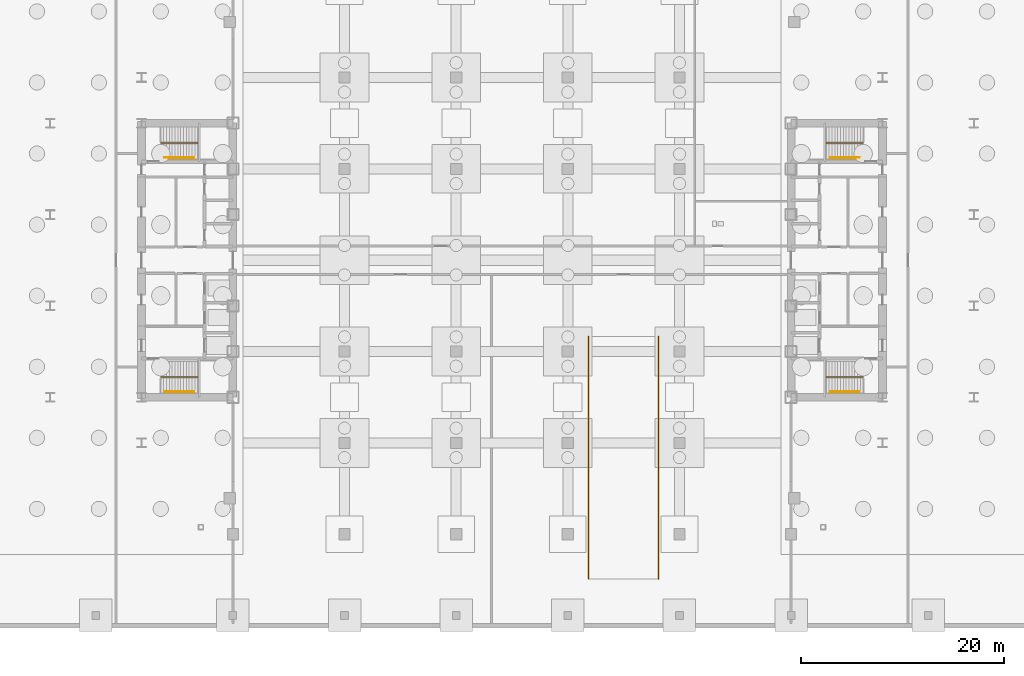
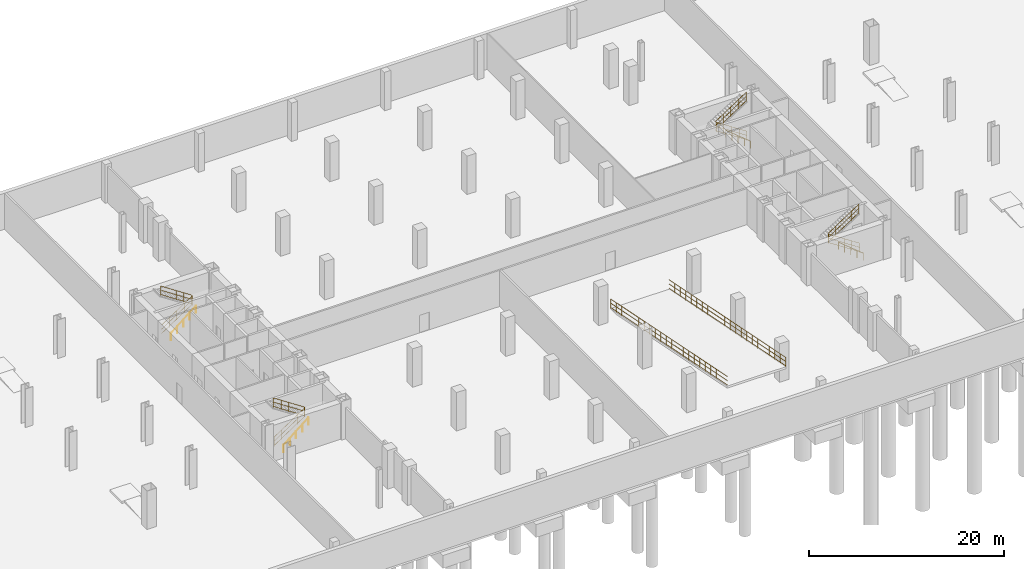
# One storey, part 16 of 18: 10 railings.
"""IFC4 building model written with IfcOpenShell, lengths in metres."""

from ifc_helpers import new_model, si_unit, direction, frame, origin, origin_2d, place, context, subcontext, project, spatial, circle, extrude, material, type_object, element, save


model = new_model("IFC4")

# Units and contexts
model_context = context("Model", 3, precision=1e-05, world=origin(), true_north=direction((0.0, 1.0)))
body_context = subcontext(model_context, "Body", "Model", "MODEL_VIEW")
ifc_project = project(units=[si_unit("LENGTHUNIT", "METRE"), si_unit("AREAUNIT", "SQUARE_METRE"), si_unit("VOLUMEUNIT", "CUBIC_METRE"), si_unit("PLANEANGLEUNIT", "RADIAN"), si_unit("MASSUNIT", "GRAM", prefix="KILO")], contexts=[model_context])

# Site, building, storey
site_placement = place(None, origin())
site = spatial("IfcSite", under=ifc_project, at=site_placement, CompositionType="ELEMENT")
building_placement = place(site_placement, origin())
building = spatial("IfcBuilding", under=site, at=building_placement, Name="Seokmaru Belvedere", CompositionType="ELEMENT")
storey_placement = place(building_placement, frame((0.0, 0.0, -9.60009765625)))
storey = spatial("IfcBuildingStorey", under=building, at=storey_placement, Name="B2", CompositionType="ELEMENT", Elevation=-9.60009765625)

# Railings
ifc_material = material(Name="Stainless Steel 316", Category="steel")
railing_type_1 = type_object("IfcRailingType", Name="Stainless Steel Wall and Flight Handrail 900", PredefinedType="HANDRAIL", material=ifc_material)
for number, where, name in (
    (1, (-34.25, -12.949951171875, 0.0), "B2 Stair ST-W1 Wall Handrail"),
    (2, (-34.25, 10.110107421875, 0.0), "B2 Stair ST-W2 Wall Handrail"),
):
    element("IfcRailing", number, at=place(storey_placement, frame(where)), inside=storey, type_object=railing_type_1, Name=name, PredefinedType="HANDRAIL", context=body_context, shape_type="SweptSolid", body=[
        extrude(circle(Radius=0.02392578125, at=origin_2d()), frame((0.0, 0.0, 0.8759765625), z_axis=(0.774636117937, 0.0, 0.63240721437), x_axis=(0.0, 1.0, 0.0)), (0.0, 0.0, 1.0), 3.795166015625),
        extrude(circle(Radius=0.02099609375, at=origin_2d()), origin(), (0.0, 0.0, 1.0), 0.851806640625),
        extrude(circle(Radius=0.02099609375, at=origin_2d()), frame((0.73486328125, 0.0, 0.60009765625)), (0.0, 0.0, 1.0), 0.851806640625),
        extrude(circle(Radius=0.02099609375, at=origin_2d()), frame((1.469970703125, 0.0, 1.2001953125)), (0.0, 0.0, 1.0), 0.851806640625),
        extrude(circle(Radius=0.02099609375, at=origin_2d()), frame((2.205078125, 0.0, 1.800048828125)), (0.0, 0.0, 1.0), 0.851806640625),
        extrude(circle(Radius=0.02099609375, at=origin_2d()), frame((2.93994140625, 0.0, 2.400146484375)), (0.0, 0.0, 1.0), 0.851806640625),
    ])
for number, where, name in (
    (3, (34.25, -12.949951171875, 0.0), "B2 Stair ST-E1 Wall Handrail"),
    (4, (34.25, 10.110107421875, 0.0), "B2 Stair ST-E2 Wall Handrail"),
):
    element("IfcRailing", number, at=place(storey_placement, frame(where)), inside=storey, type_object=railing_type_1, Name=name, PredefinedType="HANDRAIL", context=body_context, shape_type="SweptSolid", body=[
        extrude(circle(Radius=0.02392578125, at=origin_2d()), frame((0.0, 0.0, 0.8759765625), z_axis=(-0.774636117937, 0.0, 0.63240721437), x_axis=(0.0, -1.0, 0.0)), (0.0, 0.0, 1.0), 3.795166015625),
        extrude(circle(Radius=0.02099609375, at=origin_2d()), origin(), (0.0, 0.0, 1.0), 0.851806640625),
        extrude(circle(Radius=0.02099609375, at=origin_2d()), frame((-0.73486328125, 0.0, 0.60009765625)), (0.0, 0.0, 1.0), 0.851806640625),
        extrude(circle(Radius=0.02099609375, at=origin_2d()), frame((-1.469970703125, 0.0, 1.2001953125)), (0.0, 0.0, 1.0), 0.851806640625),
        extrude(circle(Radius=0.02099609375, at=origin_2d()), frame((-2.205078125, 0.0, 1.800048828125)), (0.0, 0.0, 1.0), 0.851806640625),
        extrude(circle(Radius=0.02099609375, at=origin_2d()), frame((-2.93994140625, 0.0, 2.400146484375)), (0.0, 0.0, 1.0), 0.851806640625),
    ])
railing_type_2 = type_object("IfcRailingType", Name="Stair Well and Atrium Steel Guardrail 1200", PredefinedType="GUARDRAIL", material=ifc_material)
railing_1_placement = place(storey_placement, frame((-34.60009765625, -11.60009765625, 0.0)))
element("IfcRailing", 5, at=railing_1_placement, inside=storey, type_object=railing_type_2, Name="B2 Stair ST-W1 Inner Well Guardrail", PredefinedType="GUARDRAIL", context=body_context, shape_type="SweptSolid", body=[
    extrude(circle(Radius=0.02392578125, at=origin_2d()), frame((0.0, 0.0, 1.17578125), z_axis=(0.834856447115, 0.0, 0.55046772177), x_axis=(0.0, 1.0, 0.0)), (0.0, 0.0, 1.0), 4.360107421875),
    extrude(circle(Radius=0.02392578125, at=origin_2d()), frame((0.0, 0.0, 0.1201171875), z_axis=(0.834856447115, 0.0, 0.55046772177), x_axis=(0.0, 1.0, 0.0)), (0.0, 0.0, 1.0), 4.360107421875),
    extrude(circle(Radius=0.02392578125, at=origin_2d()), frame((0.0, 0.0, 0.659912109375), z_axis=(0.834856447115, 0.0, 0.55046772177), x_axis=(0.0, 1.0, 0.0)), (0.0, 0.0, 1.0), 4.360107421875),
    extrude(circle(Radius=0.02392578125, at=origin_2d()), frame((3.64013671875, 0.0, 3.576171875), z_axis=(0.0, 1.0, 0.0), x_axis=(-1.0, 0.0, 0.0)), (0.0, 0.0, 1.0), 0.14013671875),
    extrude(circle(Radius=0.02392578125, at=origin_2d()), frame((3.64013671875, 0.0, 2.520263671875), z_axis=(0.0, 1.0, 0.0), x_axis=(-1.0, 0.0, 0.0)), (0.0, 0.0, 1.0), 0.14013671875),
    extrude(circle(Radius=0.02392578125, at=origin_2d()), frame((3.64013671875, 0.0, 3.06005859375), z_axis=(0.0, 1.0, 0.0), x_axis=(-1.0, 0.0, 0.0)), (0.0, 0.0, 1.0), 0.14013671875),
    extrude(circle(Radius=0.02392578125, at=origin_2d()), frame((3.64013671875, 0.14013671875, 3.576171875), z_axis=(-0.83488217925, 0.0, 0.55042869363), x_axis=(0.0, -1.0, 0.0)), (0.0, 0.0, 1.0), 4.360107421875),
    extrude(circle(Radius=0.02392578125, at=origin_2d()), frame((3.64013671875, 0.14013671875, 2.520263671875), z_axis=(-0.83488217925, 0.0, 0.55042869363), x_axis=(0.0, -1.0, 0.0)), (0.0, 0.0, 1.0), 4.360107421875),
    extrude(circle(Radius=0.02392578125, at=origin_2d()), frame((3.64013671875, 0.14013671875, 3.06005859375), z_axis=(-0.83488217925, 0.0, 0.55042869363), x_axis=(0.0, -1.0, 0.0)), (0.0, 0.0, 1.0), 4.360107421875),
    extrude(circle(Radius=0.02099609375, at=origin_2d()), origin(), (0.0, 0.0, 1.0), 1.15185546875),
    extrude(circle(Radius=0.02099609375, at=origin_2d()), frame((0.91015625, 0.0, 0.60009765625)), (0.0, 0.0, 1.0), 1.15185546875),
    extrude(circle(Radius=0.02099609375, at=origin_2d()), frame((1.820068359375, 0.0, 1.2001953125)), (0.0, 0.0, 1.0), 1.15185546875),
    extrude(circle(Radius=0.02099609375, at=origin_2d()), frame((2.72998046875, 0.0, 1.800048828125)), (0.0, 0.0, 1.0), 1.15185546875),
    extrude(circle(Radius=0.02099609375, at=origin_2d()), frame((3.64013671875, 0.0, 2.400146484375)), (0.0, 0.0, 1.0), 1.15185546875),
    extrude(circle(Radius=0.02099609375, at=origin_2d()), frame((3.64013671875, 0.14013671875, 2.400146484375)), (0.0, 0.0, 1.0), 1.15185546875),
    extrude(circle(Radius=0.02099609375, at=origin_2d()), frame((2.72998046875, 0.14013671875, 3.0)), (0.0, 0.0, 1.0), 1.15185546875),
    extrude(circle(Radius=0.02099609375, at=origin_2d()), frame((1.820068359375, 0.14013671875, 3.60009765625)), (0.0, 0.0, 1.0), 1.15185546875),
    extrude(circle(Radius=0.02099609375, at=origin_2d()), frame((0.91015625, 0.14013671875, 4.2001953125)), (0.0, 0.0, 1.0), 1.15185546875),
    extrude(circle(Radius=0.02099609375, at=origin_2d()), frame((0.0, 0.14013671875, 4.800048828125)), (0.0, 0.0, 1.0), 1.15185546875),
])
railing_2_placement = place(storey_placement, frame((-34.60009765625, 11.4599609375, 0.0)))
element("IfcRailing", 6, at=railing_2_placement, inside=storey, type_object=railing_type_2, Name="B2 Stair ST-W2 Inner Well Guardrail", PredefinedType="GUARDRAIL", context=body_context, shape_type="SweptSolid", body=[
    extrude(circle(Radius=0.02392578125, at=origin_2d()), frame((0.0, 0.0, 1.17578125), z_axis=(0.834856447115, 0.0, 0.55046772177), x_axis=(0.0, 1.0, 0.0)), (0.0, 0.0, 1.0), 4.360107421875),
    extrude(circle(Radius=0.02392578125, at=origin_2d()), frame((0.0, 0.0, 0.1201171875), z_axis=(0.834856447115, 0.0, 0.55046772177), x_axis=(0.0, 1.0, 0.0)), (0.0, 0.0, 1.0), 4.360107421875),
    extrude(circle(Radius=0.02392578125, at=origin_2d()), frame((0.0, 0.0, 0.659912109375), z_axis=(0.834856447115, 0.0, 0.55046772177), x_axis=(0.0, 1.0, 0.0)), (0.0, 0.0, 1.0), 4.360107421875),
    extrude(circle(Radius=0.02392578125, at=origin_2d()), frame((3.64013671875, 0.0, 3.576171875), z_axis=(0.0, 1.0, 0.0), x_axis=(-1.0, 0.0, 0.0)), (0.0, 0.0, 1.0), 0.14013671875),
    extrude(circle(Radius=0.02392578125, at=origin_2d()), frame((3.64013671875, 0.0, 2.520263671875), z_axis=(0.0, 1.0, 0.0), x_axis=(-1.0, 0.0, 0.0)), (0.0, 0.0, 1.0), 0.14013671875),
    extrude(circle(Radius=0.02392578125, at=origin_2d()), frame((3.64013671875, 0.0, 3.06005859375), z_axis=(0.0, 1.0, 0.0), x_axis=(-1.0, 0.0, 0.0)), (0.0, 0.0, 1.0), 0.14013671875),
    extrude(circle(Radius=0.02392578125, at=origin_2d()), frame((3.64013671875, 0.14013671875, 3.576171875), z_axis=(-0.83488217925, 0.0, 0.55042869363), x_axis=(0.0, -1.0, 0.0)), (0.0, 0.0, 1.0), 4.360107421875),
    extrude(circle(Radius=0.02392578125, at=origin_2d()), frame((3.64013671875, 0.14013671875, 2.520263671875), z_axis=(-0.83488217925, 0.0, 0.55042869363), x_axis=(0.0, -1.0, 0.0)), (0.0, 0.0, 1.0), 4.360107421875),
    extrude(circle(Radius=0.02392578125, at=origin_2d()), frame((3.64013671875, 0.14013671875, 3.06005859375), z_axis=(-0.83488217925, 0.0, 0.55042869363), x_axis=(0.0, -1.0, 0.0)), (0.0, 0.0, 1.0), 4.360107421875),
    extrude(circle(Radius=0.02099609375, at=origin_2d()), origin(), (0.0, 0.0, 1.0), 1.15185546875),
    extrude(circle(Radius=0.02099609375, at=origin_2d()), frame((0.91015625, 0.0, 0.60009765625)), (0.0, 0.0, 1.0), 1.15185546875),
    extrude(circle(Radius=0.02099609375, at=origin_2d()), frame((1.820068359375, 0.0, 1.2001953125)), (0.0, 0.0, 1.0), 1.15185546875),
    extrude(circle(Radius=0.02099609375, at=origin_2d()), frame((2.72998046875, 0.0, 1.800048828125)), (0.0, 0.0, 1.0), 1.15185546875),
    extrude(circle(Radius=0.02099609375, at=origin_2d()), frame((3.64013671875, 0.0, 2.400146484375)), (0.0, 0.0, 1.0), 1.15185546875),
    extrude(circle(Radius=0.02099609375, at=origin_2d()), frame((3.64013671875, 0.14013671875, 2.400146484375)), (0.0, 0.0, 1.0), 1.15185546875),
    extrude(circle(Radius=0.02099609375, at=origin_2d()), frame((2.72998046875, 0.14013671875, 3.0)), (0.0, 0.0, 1.0), 1.15185546875),
    extrude(circle(Radius=0.02099609375, at=origin_2d()), frame((1.820068359375, 0.14013671875, 3.60009765625)), (0.0, 0.0, 1.0), 1.15185546875),
    extrude(circle(Radius=0.02099609375, at=origin_2d()), frame((0.91015625, 0.14013671875, 4.2001953125)), (0.0, 0.0, 1.0), 1.15185546875),
    extrude(circle(Radius=0.02099609375, at=origin_2d()), frame((0.0, 0.14013671875, 4.800048828125)), (0.0, 0.0, 1.0), 1.15185546875),
])
railing_3_placement = place(storey_placement, frame((34.60009765625, -11.60009765625, 0.0)))
element("IfcRailing", 7, at=railing_3_placement, inside=storey, type_object=railing_type_2, Name="B2 Stair ST-E1 Inner Well Guardrail", PredefinedType="GUARDRAIL", context=body_context, shape_type="SweptSolid", body=[
    extrude(circle(Radius=0.02392578125, at=origin_2d()), frame((0.0, 0.0, 1.17578125), z_axis=(-0.834856447115, 0.0, 0.55046772177), x_axis=(0.0, -1.0, 0.0)), (0.0, 0.0, 1.0), 4.360107421875),
    extrude(circle(Radius=0.02392578125, at=origin_2d()), frame((0.0, 0.0, 0.1201171875), z_axis=(-0.834856447115, 0.0, 0.55046772177), x_axis=(0.0, -1.0, 0.0)), (0.0, 0.0, 1.0), 4.360107421875),
    extrude(circle(Radius=0.02392578125, at=origin_2d()), frame((0.0, 0.0, 0.659912109375), z_axis=(-0.834856447115, 0.0, 0.55046772177), x_axis=(0.0, -1.0, 0.0)), (0.0, 0.0, 1.0), 4.360107421875),
    extrude(circle(Radius=0.02392578125, at=origin_2d()), frame((-3.64013671875, 0.0, 3.576171875), z_axis=(0.0, 1.0, 0.0), x_axis=(-1.0, 0.0, 0.0)), (0.0, 0.0, 1.0), 0.14013671875),
    extrude(circle(Radius=0.02392578125, at=origin_2d()), frame((-3.64013671875, 0.0, 2.520263671875), z_axis=(0.0, 1.0, 0.0), x_axis=(-1.0, 0.0, 0.0)), (0.0, 0.0, 1.0), 0.14013671875),
    extrude(circle(Radius=0.02392578125, at=origin_2d()), frame((-3.64013671875, 0.0, 3.06005859375), z_axis=(0.0, 1.0, 0.0), x_axis=(-1.0, 0.0, 0.0)), (0.0, 0.0, 1.0), 0.14013671875),
    extrude(circle(Radius=0.02392578125, at=origin_2d()), frame((-3.64013671875, 0.14013671875, 3.576171875), z_axis=(0.83488217925, 0.0, 0.55042869363), x_axis=(0.0, 1.0, 0.0)), (0.0, 0.0, 1.0), 4.360107421875),
    extrude(circle(Radius=0.02392578125, at=origin_2d()), frame((-3.64013671875, 0.14013671875, 2.520263671875), z_axis=(0.83488217925, 0.0, 0.55042869363), x_axis=(0.0, 1.0, 0.0)), (0.0, 0.0, 1.0), 4.360107421875),
    extrude(circle(Radius=0.02392578125, at=origin_2d()), frame((-3.64013671875, 0.14013671875, 3.06005859375), z_axis=(0.83488217925, 0.0, 0.55042869363), x_axis=(0.0, 1.0, 0.0)), (0.0, 0.0, 1.0), 4.360107421875),
    extrude(circle(Radius=0.02099609375, at=origin_2d()), origin(), (0.0, 0.0, 1.0), 1.15185546875),
    extrude(circle(Radius=0.02099609375, at=origin_2d()), frame((-0.91015625, 0.0, 0.60009765625)), (0.0, 0.0, 1.0), 1.15185546875),
    extrude(circle(Radius=0.02099609375, at=origin_2d()), frame((-1.820068359375, 0.0, 1.2001953125)), (0.0, 0.0, 1.0), 1.15185546875),
    extrude(circle(Radius=0.02099609375, at=origin_2d()), frame((-2.72998046875, 0.0, 1.800048828125)), (0.0, 0.0, 1.0), 1.15185546875),
    extrude(circle(Radius=0.02099609375, at=origin_2d()), frame((-3.64013671875, 0.0, 2.400146484375)), (0.0, 0.0, 1.0), 1.15185546875),
    extrude(circle(Radius=0.02099609375, at=origin_2d()), frame((-3.64013671875, 0.14013671875, 2.400146484375)), (0.0, 0.0, 1.0), 1.15185546875),
    extrude(circle(Radius=0.02099609375, at=origin_2d()), frame((-2.72998046875, 0.14013671875, 3.0)), (0.0, 0.0, 1.0), 1.15185546875),
    extrude(circle(Radius=0.02099609375, at=origin_2d()), frame((-1.820068359375, 0.14013671875, 3.60009765625)), (0.0, 0.0, 1.0), 1.15185546875),
    extrude(circle(Radius=0.02099609375, at=origin_2d()), frame((-0.91015625, 0.14013671875, 4.2001953125)), (0.0, 0.0, 1.0), 1.15185546875),
    extrude(circle(Radius=0.02099609375, at=origin_2d()), frame((0.0, 0.14013671875, 4.800048828125)), (0.0, 0.0, 1.0), 1.15185546875),
])
railing_4_placement = place(storey_placement, frame((34.60009765625, 11.4599609375, 0.0)))
element("IfcRailing", 8, at=railing_4_placement, inside=storey, type_object=railing_type_2, Name="B2 Stair ST-E2 Inner Well Guardrail", PredefinedType="GUARDRAIL", context=body_context, shape_type="SweptSolid", body=[
    extrude(circle(Radius=0.02392578125, at=origin_2d()), frame((0.0, 0.0, 1.17578125), z_axis=(-0.834856447115, 0.0, 0.55046772177), x_axis=(0.0, -1.0, 0.0)), (0.0, 0.0, 1.0), 4.360107421875),
    extrude(circle(Radius=0.02392578125, at=origin_2d()), frame((0.0, 0.0, 0.1201171875), z_axis=(-0.834856447115, 0.0, 0.55046772177), x_axis=(0.0, -1.0, 0.0)), (0.0, 0.0, 1.0), 4.360107421875),
    extrude(circle(Radius=0.02392578125, at=origin_2d()), frame((0.0, 0.0, 0.659912109375), z_axis=(-0.834856447115, 0.0, 0.55046772177), x_axis=(0.0, -1.0, 0.0)), (0.0, 0.0, 1.0), 4.360107421875),
    extrude(circle(Radius=0.02392578125, at=origin_2d()), frame((-3.64013671875, 0.0, 3.576171875), z_axis=(0.0, 1.0, 0.0), x_axis=(-1.0, 0.0, 0.0)), (0.0, 0.0, 1.0), 0.14013671875),
    extrude(circle(Radius=0.02392578125, at=origin_2d()), frame((-3.64013671875, 0.0, 2.520263671875), z_axis=(0.0, 1.0, 0.0), x_axis=(-1.0, 0.0, 0.0)), (0.0, 0.0, 1.0), 0.14013671875),
    extrude(circle(Radius=0.02392578125, at=origin_2d()), frame((-3.64013671875, 0.0, 3.06005859375), z_axis=(0.0, 1.0, 0.0), x_axis=(-1.0, 0.0, 0.0)), (0.0, 0.0, 1.0), 0.14013671875),
    extrude(circle(Radius=0.02392578125, at=origin_2d()), frame((-3.64013671875, 0.14013671875, 3.576171875), z_axis=(0.83488217925, 0.0, 0.55042869363), x_axis=(0.0, 1.0, 0.0)), (0.0, 0.0, 1.0), 4.360107421875),
    extrude(circle(Radius=0.02392578125, at=origin_2d()), frame((-3.64013671875, 0.14013671875, 2.520263671875), z_axis=(0.83488217925, 0.0, 0.55042869363), x_axis=(0.0, 1.0, 0.0)), (0.0, 0.0, 1.0), 4.360107421875),
    extrude(circle(Radius=0.02392578125, at=origin_2d()), frame((-3.64013671875, 0.14013671875, 3.06005859375), z_axis=(0.83488217925, 0.0, 0.55042869363), x_axis=(0.0, 1.0, 0.0)), (0.0, 0.0, 1.0), 4.360107421875),
    extrude(circle(Radius=0.02099609375, at=origin_2d()), origin(), (0.0, 0.0, 1.0), 1.15185546875),
    extrude(circle(Radius=0.02099609375, at=origin_2d()), frame((-0.91015625, 0.0, 0.60009765625)), (0.0, 0.0, 1.0), 1.15185546875),
    extrude(circle(Radius=0.02099609375, at=origin_2d()), frame((-1.820068359375, 0.0, 1.2001953125)), (0.0, 0.0, 1.0), 1.15185546875),
    extrude(circle(Radius=0.02099609375, at=origin_2d()), frame((-2.72998046875, 0.0, 1.800048828125)), (0.0, 0.0, 1.0), 1.15185546875),
    extrude(circle(Radius=0.02099609375, at=origin_2d()), frame((-3.64013671875, 0.0, 2.400146484375)), (0.0, 0.0, 1.0), 1.15185546875),
    extrude(circle(Radius=0.02099609375, at=origin_2d()), frame((-3.64013671875, 0.14013671875, 2.400146484375)), (0.0, 0.0, 1.0), 1.15185546875),
    extrude(circle(Radius=0.02099609375, at=origin_2d()), frame((-2.72998046875, 0.14013671875, 3.0)), (0.0, 0.0, 1.0), 1.15185546875),
    extrude(circle(Radius=0.02099609375, at=origin_2d()), frame((-1.820068359375, 0.14013671875, 3.60009765625)), (0.0, 0.0, 1.0), 1.15185546875),
    extrude(circle(Radius=0.02099609375, at=origin_2d()), frame((-0.91015625, 0.14013671875, 4.2001953125)), (0.0, 0.0, 1.0), 1.15185546875),
    extrude(circle(Radius=0.02099609375, at=origin_2d()), frame((0.0, 0.14013671875, 4.800048828125)), (0.0, 0.0, 1.0), 1.15185546875),
])
railing_5_placement = place(storey_placement, frame((7.56005859375, -7.5, 0.0)))
element("IfcRailing", 9, at=railing_5_placement, inside=storey, type_object=railing_type_2, Name="B2 Vehicle Ramp VR-01 Side Guardrail W", PredefinedType="GUARDRAIL", context=body_context, shape_type="SweptSolid", body=[
    extrude(circle(Radius=0.02392578125, at=origin_2d()), frame((0.0, 0.0, 1.17578125), z_axis=(0.0, -0.980422039947, 0.196907652434), x_axis=(1.0, 0.0, 0.0)), (0.0, 0.0, 1.0), 24.377197265625),
    extrude(circle(Radius=0.02392578125, at=origin_2d()), frame((0.0, 0.0, 0.1201171875), z_axis=(0.0, -0.980422039947, 0.196907652434), x_axis=(1.0, 0.0, 0.0)), (0.0, 0.0, 1.0), 24.377197265625),
    extrude(circle(Radius=0.02392578125, at=origin_2d()), frame((0.0, 0.0, 0.659912109375), z_axis=(0.0, -0.980422039947, 0.196907652434), x_axis=(1.0, 0.0, 0.0)), (0.0, 0.0, 1.0), 24.377197265625),
    extrude(circle(Radius=0.02099609375, at=origin_2d()), origin(), (0.0, 0.0, 1.0), 1.15185546875),
    extrude(circle(Radius=0.02099609375, at=origin_2d()), frame((0.0, -1.13818359375, 0.228515625)), (0.0, 0.0, 1.0), 1.15185546875),
    extrude(circle(Radius=0.02099609375, at=origin_2d()), frame((0.0, -2.276123046875, 0.45703125)), (0.0, 0.0, 1.0), 1.15185546875),
    extrude(circle(Radius=0.02099609375, at=origin_2d()), frame((0.0, -3.414306640625, 0.685791015625)), (0.0, 0.0, 1.0), 1.15185546875),
    extrude(circle(Radius=0.02099609375, at=origin_2d()), frame((0.0, -4.55224609375, 0.914306640625)), (0.0, 0.0, 1.0), 1.15185546875),
    extrude(circle(Radius=0.02099609375, at=origin_2d()), frame((0.0, -5.6904296875, 1.142822265625)), (0.0, 0.0, 1.0), 1.15185546875),
    extrude(circle(Radius=0.02099609375, at=origin_2d()), frame((0.0, -6.82861328125, 1.371337890625)), (0.0, 0.0, 1.0), 1.15185546875),
    extrude(circle(Radius=0.02099609375, at=origin_2d()), frame((0.0, -7.966552734375, 1.60009765625)), (0.0, 0.0, 1.0), 1.15185546875),
    extrude(circle(Radius=0.02099609375, at=origin_2d()), frame((0.0, -9.104736328125, 1.82861328125)), (0.0, 0.0, 1.0), 1.15185546875),
    extrude(circle(Radius=0.02099609375, at=origin_2d()), frame((0.0, -10.242919921875, 2.05712890625)), (0.0, 0.0, 1.0), 1.15185546875),
    extrude(circle(Radius=0.02099609375, at=origin_2d()), frame((0.0, -11.380859375, 2.28564453125)), (0.0, 0.0, 1.0), 1.15185546875),
    extrude(circle(Radius=0.02099609375, at=origin_2d()), frame((0.0, -12.51904296875, 2.514404296875)), (0.0, 0.0, 1.0), 1.15185546875),
    extrude(circle(Radius=0.02099609375, at=origin_2d()), frame((0.0, -13.656982421875, 2.742919921875)), (0.0, 0.0, 1.0), 1.15185546875),
    extrude(circle(Radius=0.02099609375, at=origin_2d()), frame((0.0, -14.795166015625, 2.971435546875)), (0.0, 0.0, 1.0), 1.15185546875),
    extrude(circle(Radius=0.02099609375, at=origin_2d()), frame((0.0, -15.933349609375, 3.199951171875)), (0.0, 0.0, 1.0), 1.15185546875),
    extrude(circle(Radius=0.02099609375, at=origin_2d()), frame((0.0, -17.0712890625, 3.4287109375)), (0.0, 0.0, 1.0), 1.15185546875),
    extrude(circle(Radius=0.02099609375, at=origin_2d()), frame((0.0, -18.20947265625, 3.6572265625)), (0.0, 0.0, 1.0), 1.15185546875),
    extrude(circle(Radius=0.02099609375, at=origin_2d()), frame((0.0, -19.34765625, 3.8857421875)), (0.0, 0.0, 1.0), 1.15185546875),
    extrude(circle(Radius=0.02099609375, at=origin_2d()), frame((0.0, -20.485595703125, 4.1142578125)), (0.0, 0.0, 1.0), 1.15185546875),
    extrude(circle(Radius=0.02099609375, at=origin_2d()), frame((0.0, -21.623779296875, 4.343017578125)), (0.0, 0.0, 1.0), 1.15185546875),
    extrude(circle(Radius=0.02099609375, at=origin_2d()), frame((0.0, -22.76171875, 4.571533203125)), (0.0, 0.0, 1.0), 1.15185546875),
    extrude(circle(Radius=0.02099609375, at=origin_2d()), frame((0.0, -23.89990234375, 4.800048828125)), (0.0, 0.0, 1.0), 1.15185546875),
])
railing_6_placement = place(storey_placement, frame((14.43994140625, -7.5, 0.0)))
element("IfcRailing", 10, at=railing_6_placement, inside=storey, type_object=railing_type_2, Name="B2 Vehicle Ramp VR-01 Side Guardrail E", PredefinedType="GUARDRAIL", context=body_context, shape_type="SweptSolid", body=[
    extrude(circle(Radius=0.02392578125, at=origin_2d()), frame((0.0, 0.0, 1.17578125), z_axis=(0.0, -0.980422039947, 0.196907652434), x_axis=(1.0, 0.0, 0.0)), (0.0, 0.0, 1.0), 24.377197265625),
    extrude(circle(Radius=0.02392578125, at=origin_2d()), frame((0.0, 0.0, 0.1201171875), z_axis=(0.0, -0.980422039947, 0.196907652434), x_axis=(1.0, 0.0, 0.0)), (0.0, 0.0, 1.0), 24.377197265625),
    extrude(circle(Radius=0.02392578125, at=origin_2d()), frame((0.0, 0.0, 0.659912109375), z_axis=(0.0, -0.980422039947, 0.196907652434), x_axis=(1.0, 0.0, 0.0)), (0.0, 0.0, 1.0), 24.377197265625),
    extrude(circle(Radius=0.02099609375, at=origin_2d()), origin(), (0.0, 0.0, 1.0), 1.15185546875),
    extrude(circle(Radius=0.02099609375, at=origin_2d()), frame((0.0, -1.13818359375, 0.228515625)), (0.0, 0.0, 1.0), 1.15185546875),
    extrude(circle(Radius=0.02099609375, at=origin_2d()), frame((0.0, -2.276123046875, 0.45703125)), (0.0, 0.0, 1.0), 1.15185546875),
    extrude(circle(Radius=0.02099609375, at=origin_2d()), frame((0.0, -3.414306640625, 0.685791015625)), (0.0, 0.0, 1.0), 1.15185546875),
    extrude(circle(Radius=0.02099609375, at=origin_2d()), frame((0.0, -4.55224609375, 0.914306640625)), (0.0, 0.0, 1.0), 1.15185546875),
    extrude(circle(Radius=0.02099609375, at=origin_2d()), frame((0.0, -5.6904296875, 1.142822265625)), (0.0, 0.0, 1.0), 1.15185546875),
    extrude(circle(Radius=0.02099609375, at=origin_2d()), frame((0.0, -6.82861328125, 1.371337890625)), (0.0, 0.0, 1.0), 1.15185546875),
    extrude(circle(Radius=0.02099609375, at=origin_2d()), frame((0.0, -7.966552734375, 1.60009765625)), (0.0, 0.0, 1.0), 1.15185546875),
    extrude(circle(Radius=0.02099609375, at=origin_2d()), frame((0.0, -9.104736328125, 1.82861328125)), (0.0, 0.0, 1.0), 1.15185546875),
    extrude(circle(Radius=0.02099609375, at=origin_2d()), frame((0.0, -10.242919921875, 2.05712890625)), (0.0, 0.0, 1.0), 1.15185546875),
    extrude(circle(Radius=0.02099609375, at=origin_2d()), frame((0.0, -11.380859375, 2.28564453125)), (0.0, 0.0, 1.0), 1.15185546875),
    extrude(circle(Radius=0.02099609375, at=origin_2d()), frame((0.0, -12.51904296875, 2.514404296875)), (0.0, 0.0, 1.0), 1.15185546875),
    extrude(circle(Radius=0.02099609375, at=origin_2d()), frame((0.0, -13.656982421875, 2.742919921875)), (0.0, 0.0, 1.0), 1.15185546875),
    extrude(circle(Radius=0.02099609375, at=origin_2d()), frame((0.0, -14.795166015625, 2.971435546875)), (0.0, 0.0, 1.0), 1.15185546875),
    extrude(circle(Radius=0.02099609375, at=origin_2d()), frame((0.0, -15.933349609375, 3.199951171875)), (0.0, 0.0, 1.0), 1.15185546875),
    extrude(circle(Radius=0.02099609375, at=origin_2d()), frame((0.0, -17.0712890625, 3.4287109375)), (0.0, 0.0, 1.0), 1.15185546875),
    extrude(circle(Radius=0.02099609375, at=origin_2d()), frame((0.0, -18.20947265625, 3.6572265625)), (0.0, 0.0, 1.0), 1.15185546875),
    extrude(circle(Radius=0.02099609375, at=origin_2d()), frame((0.0, -19.34765625, 3.8857421875)), (0.0, 0.0, 1.0), 1.15185546875),
    extrude(circle(Radius=0.02099609375, at=origin_2d()), frame((0.0, -20.485595703125, 4.1142578125)), (0.0, 0.0, 1.0), 1.15185546875),
    extrude(circle(Radius=0.02099609375, at=origin_2d()), frame((0.0, -21.623779296875, 4.343017578125)), (0.0, 0.0, 1.0), 1.15185546875),
    extrude(circle(Radius=0.02099609375, at=origin_2d()), frame((0.0, -22.76171875, 4.571533203125)), (0.0, 0.0, 1.0), 1.15185546875),
    extrude(circle(Radius=0.02099609375, at=origin_2d()), frame((0.0, -23.89990234375, 4.800048828125)), (0.0, 0.0, 1.0), 1.15185546875),
])

save(model, "model.ifc")
